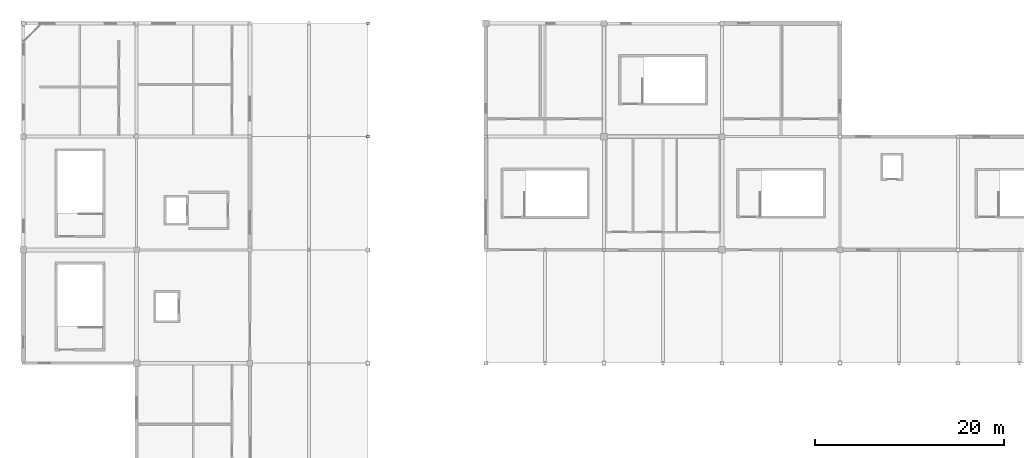
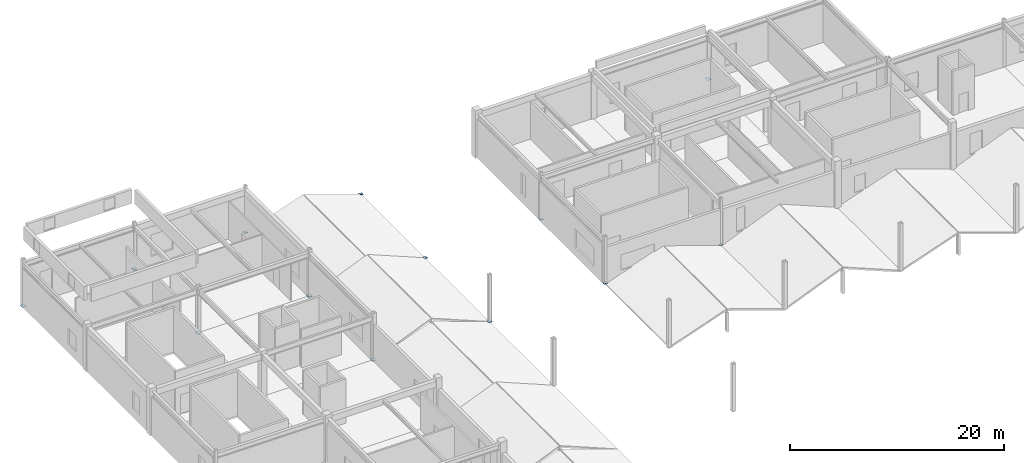
# One storey, part 59 of 76: 13 plates.
"""IFC4 building model written with IfcOpenShell, lengths in metres."""

from ifc_helpers import new_model, si_unit, direction, frame, origin, origin_2d, place, context, subcontext, project, spatial, rectangle, extrude, material, layer, layer_set, type_object, element, save


model = new_model("IFC4")

# Units and contexts
model_context = context("Model", 3, precision=1e-05, world=origin(), true_north=direction((0.0, 1.0)))
body_context = subcontext(model_context, "Body", "Model", "MODEL_VIEW")
ifc_project = project(units=[si_unit("LENGTHUNIT", "METRE"), si_unit("AREAUNIT", "SQUARE_METRE"), si_unit("VOLUMEUNIT", "CUBIC_METRE"), si_unit("PLANEANGLEUNIT", "RADIAN"), si_unit("MASSUNIT", "GRAM", prefix="KILO")], contexts=[model_context])

# Site, building, storey
site_placement = place(None, origin())
site = spatial("IfcSite", under=ifc_project, at=site_placement, CompositionType="ELEMENT")
building_placement = place(site_placement, origin())
building = spatial("IfcBuilding", under=site, at=building_placement, Name="Kazenohara Klinker Stadium", CompositionType="ELEMENT")
storey_placement = place(building_placement, frame((0.0, 0.0, 25.800048828125)))
storey = spatial("IfcBuildingStorey", under=building, at=storey_placement, Name="L05", CompositionType="ELEMENT", Elevation=25.800048828125)

# Plates
ifc_material = material(Name="Steel S355", Category="steel")
ifc_layer_1 = layer(ifc_material, 0.02001953125)
ifc_layer_set_1 = layer_set([ifc_layer_1], Name="Steel S355")
plate_type_1 = type_object("IfcPlateType", Name="PLT-GP01", PredefinedType="USERDEFINED", material=ifc_layer_set_1)
plate_1_placement = place(storey_placement, frame((36.5, 156.0, -0.010009765625), z_axis=(0.0, 0.0, 1.0), x_axis=(1.0, 0.0, 0.0)))
element("IfcPlate", 1, at=plate_1_placement, inside=storey, type_object=plate_type_1, Name="Hollow column end-cap plate GP01 L05 4/P", ObjectType="GUSSET PLATE", PredefinedType="USERDEFINED", context=body_context, shape_type="SweptSolid", body=[
    extrude(rectangle(XDim=0.340087890625, YDim=0.340087890625, at=origin_2d()), origin(), (0.0, 0.0, 1.0), 0.02001953125),
])
plate_2_placement = place(storey_placement, frame((61.5, 144.0, -0.010009765625), z_axis=(0.0, 0.0, 1.0), x_axis=(1.0, 0.0, 0.0)))
element("IfcPlate", 2, at=plate_2_placement, inside=storey, type_object=plate_type_1, Name="Hollow column end-cap plate GP01 L05 6/N", ObjectType="GUSSET PLATE", PredefinedType="USERDEFINED", context=body_context, shape_type="SweptSolid", body=[
    extrude(rectangle(XDim=0.2900390625, YDim=0.2900390625, at=origin_2d()), origin(), (0.0, 0.0, 1.0), 0.02001953125),
])
ifc_layer_2 = layer(ifc_material, 0.02197265625)
ifc_layer_set_2 = layer_set([ifc_layer_2], Name="Steel S355")
plate_type_2 = type_object("IfcPlateType", Name="PLT-GP02", PredefinedType="USERDEFINED", material=ifc_layer_set_2)
plate_3_placement = place(storey_placement, frame((24.0, 168.0, -0.010986328125), z_axis=(0.0, 0.0, 1.0), x_axis=(1.0, 0.0, 0.0)))
element("IfcPlate", 3, at=plate_3_placement, inside=storey, type_object=plate_type_2, Name="Hollow column end-cap plate GP02 L05 3/Q", ObjectType="GUSSET PLATE", PredefinedType="USERDEFINED", context=body_context, shape_type="SweptSolid", body=[
    extrude(rectangle(XDim=0.340087890625, YDim=0.340087890625, at=origin_2d()), origin(), (0.0, 0.0, 1.0), 0.02197265625),
])
plate_4_placement = place(storey_placement, frame((36.5, 144.0, -0.010986328125), z_axis=(0.0, 0.0, 1.0), x_axis=(1.0, 0.0, 0.0)))
element("IfcPlate", 4, at=plate_4_placement, inside=storey, type_object=plate_type_2, Name="Hollow column end-cap plate GP02 L05 4/N", ObjectType="GUSSET PLATE", PredefinedType="USERDEFINED", context=body_context, shape_type="SweptSolid", body=[
    extrude(rectangle(XDim=0.389892578125, YDim=0.389892578125, at=origin_2d()), origin(), (0.0, 0.0, 1.0), 0.02197265625),
])
plate_5_placement = place(storey_placement, frame((49.0, 156.0, -0.010986328125), z_axis=(0.0, 0.0, 1.0), x_axis=(1.0, 0.0, 0.0)))
element("IfcPlate", 5, at=plate_5_placement, inside=storey, type_object=plate_type_2, Name="Hollow column end-cap plate GP02 L05 5/P", ObjectType="GUSSET PLATE", PredefinedType="USERDEFINED", context=body_context, shape_type="SweptSolid", body=[
    extrude(rectangle(XDim=0.2900390625, YDim=0.2900390625, at=origin_2d()), origin(), (0.0, 0.0, 1.0), 0.02197265625),
])
ifc_layer_3 = layer(ifc_material, 0.02392578125)
ifc_layer_set_3 = layer_set([ifc_layer_3], Name="Steel S355")
plate_type_3 = type_object("IfcPlateType", Name="PLT-GP03", PredefinedType="USERDEFINED", material=ifc_layer_set_3)
for number, where, z_axis, x_axis, name in (
    (6, (0.0, 168.0, -0.011962890625), (0.0, 0.0, 1.0), (1.0, 0.0, 0.0), "Hollow column end-cap plate GP03 L05 1/Q"),
    (7, (12.0, 156.0, -0.011962890625), (0.0, 0.0, 1.0), (1.0, 0.0, 0.0), "Hollow column end-cap plate GP03 L05 2/P"),
):
    element("IfcPlate", number, at=place(storey_placement, frame(where, z_axis=z_axis, x_axis=x_axis)), inside=storey, type_object=plate_type_3, Name=name, ObjectType="GUSSET PLATE", PredefinedType="USERDEFINED", context=body_context, shape_type="SweptSolid", body=[
        extrude(rectangle(XDim=0.43994140625, YDim=0.43994140625, at=origin_2d()), origin(), (0.0, 0.0, 1.0), 0.02392578125),
    ])
plate_6_placement = place(storey_placement, frame((12.0, 168.0, -0.011962890625), z_axis=(0.0, 0.0, 1.0), x_axis=(1.0, 0.0, 0.0)))
element("IfcPlate", 8, at=plate_6_placement, inside=storey, type_object=plate_type_3, Name="Hollow column end-cap plate GP03 L05 2/Q", ObjectType="GUSSET PLATE", PredefinedType="USERDEFINED", context=body_context, shape_type="SweptSolid", body=[
    extrude(rectangle(XDim=0.389892578125, YDim=0.389892578125, at=origin_2d()), origin(), (0.0, 0.0, 1.0), 0.02392578125),
])
plate_7_placement = place(storey_placement, frame((24.0, 144.0, -0.011962890625), z_axis=(0.0, 0.0, 1.0), x_axis=(1.0, 0.0, 0.0)))
element("IfcPlate", 9, at=plate_7_placement, inside=storey, type_object=plate_type_3, Name="Hollow column end-cap plate GP03 L05 3/N", ObjectType="GUSSET PLATE", PredefinedType="USERDEFINED", context=body_context, shape_type="SweptSolid", body=[
    extrude(rectangle(XDim=0.43994140625, YDim=0.43994140625, at=origin_2d()), origin(), (0.0, 0.0, 1.0), 0.02392578125),
])
plate_8_placement = place(storey_placement, frame((24.0, 156.0, -0.011962890625), z_axis=(0.0, 0.0, 1.0), x_axis=(1.0, 0.0, 0.0)))
element("IfcPlate", 10, at=plate_8_placement, inside=storey, type_object=plate_type_3, Name="Hollow column end-cap plate GP03 L05 3/P", ObjectType="GUSSET PLATE", PredefinedType="USERDEFINED", context=body_context, shape_type="SweptSolid", body=[
    extrude(rectangle(XDim=0.389892578125, YDim=0.389892578125, at=origin_2d()), origin(), (0.0, 0.0, 1.0), 0.02392578125),
])
plate_9_placement = place(storey_placement, frame((36.5, 168.0, -0.011962890625), z_axis=(0.0, 0.0, 1.0), x_axis=(1.0, 0.0, 0.0)))
element("IfcPlate", 11, at=plate_9_placement, inside=storey, type_object=plate_type_3, Name="Hollow column end-cap plate GP03 L05 4/Q", ObjectType="GUSSET PLATE", PredefinedType="USERDEFINED", context=body_context, shape_type="SweptSolid", body=[
    extrude(rectangle(XDim=0.2900390625, YDim=0.2900390625, at=origin_2d()), origin(), (0.0, 0.0, 1.0), 0.02392578125),
])
plate_10_placement = place(storey_placement, frame((49.0, 144.0, -0.011962890625), z_axis=(0.0, 0.0, 1.0), x_axis=(1.0, 0.0, 0.0)))
element("IfcPlate", 12, at=plate_10_placement, inside=storey, type_object=plate_type_3, Name="Hollow column end-cap plate GP03 L05 5/N", ObjectType="GUSSET PLATE", PredefinedType="USERDEFINED", context=body_context, shape_type="SweptSolid", body=[
    extrude(rectangle(XDim=0.340087890625, YDim=0.340087890625, at=origin_2d()), origin(), (0.0, 0.0, 1.0), 0.02392578125),
])
plate_11_placement = place(storey_placement, frame((74.0, 168.0, -0.011962890625), z_axis=(0.0, 0.0, 1.0), x_axis=(1.0, 0.0, 0.0)))
element("IfcPlate", 13, at=plate_11_placement, inside=storey, type_object=plate_type_3, Name="Hollow column end-cap plate GP03 L05 7/Q", ObjectType="GUSSET PLATE", PredefinedType="USERDEFINED", context=body_context, shape_type="SweptSolid", body=[
    extrude(rectangle(XDim=0.43994140625, YDim=0.43994140625, at=origin_2d()), origin(), (0.0, 0.0, 1.0), 0.02392578125),
])

save(model, "model.ifc")
